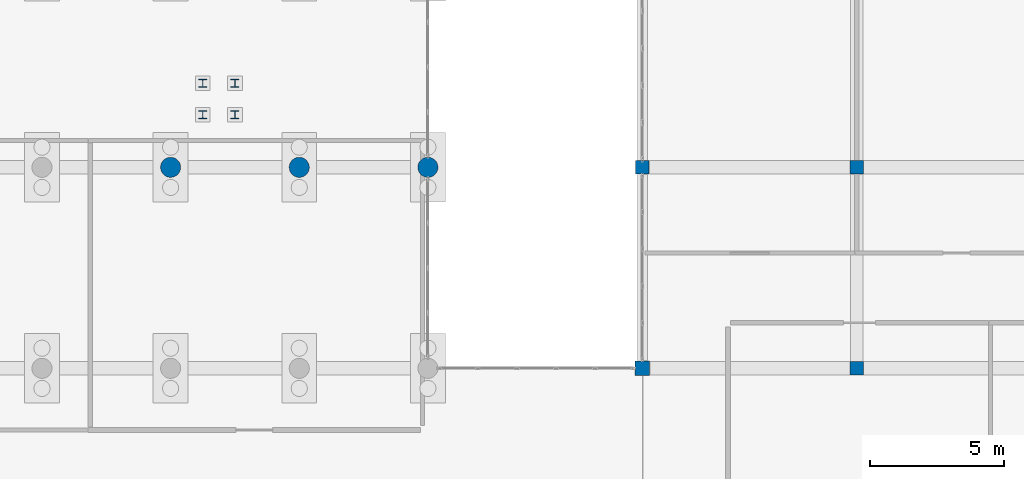
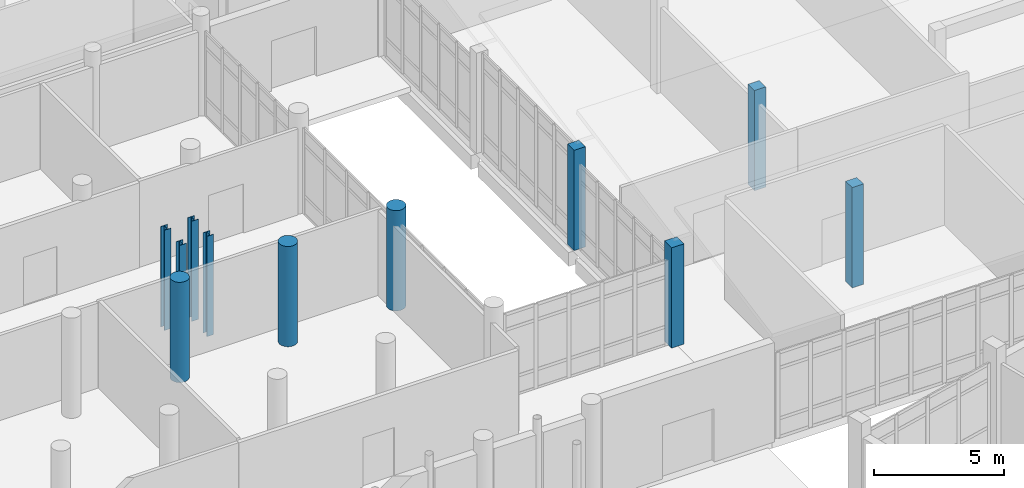
# One storey, part 17 of 173: 11 columns.
"""IFC4 building model written with IfcOpenShell, lengths in metres."""

from ifc_helpers import new_model, si_unit, direction, frame, origin, origin_2d, place, context, subcontext, project, spatial, rectangle, circle, i_section, extrude, material, material_profile, profile_set, type_object, element, save


model = new_model("IFC4")

# Units and contexts
model_context = context("Model", 3, precision=1e-05, world=origin(), true_north=direction((0.0, 1.0)))
body_context = subcontext(model_context, "Body", "Model", "MODEL_VIEW")
ifc_project = project(units=[si_unit("LENGTHUNIT", "METRE"), si_unit("AREAUNIT", "SQUARE_METRE"), si_unit("VOLUMEUNIT", "CUBIC_METRE"), si_unit("PLANEANGLEUNIT", "RADIAN"), si_unit("MASSUNIT", "GRAM", prefix="KILO")], contexts=[model_context])

# Site, building, storey
site_placement = place(None, origin())
site = spatial("IfcSite", under=ifc_project, at=site_placement, CompositionType="ELEMENT")
building_placement = place(site_placement, origin())
building = spatial("IfcBuilding", under=site, at=building_placement, Name="Mawjan Specialist Oncology Clinic", CompositionType="ELEMENT")
storey_placement = place(building_placement, origin())
storey = spatial("IfcBuildingStorey", under=building, at=storey_placement, Name="L00", CompositionType="ELEMENT", Elevation=0.0)

# Columns
ifc_material_1 = material(Name="Concrete C45/55", Category="concrete")
ifc_material_profile_1 = material_profile(ifc_material_1, rectangle(XDim=0.5, YDim=0.5, at=origin_2d()), Name="RC COL 500x500", Category="concrete")
ifc_profile_set_1 = profile_set([ifc_material_profile_1], Name="Concrete C45/55")
column_type_1 = type_object("IfcColumnType", Name="C-500", PredefinedType="COLUMN", material=ifc_profile_set_1)
for number, where, z_axis, x_axis, name in (
    (1, (116.0, 60.800048828125, 0.0), (0.0, 0.0, 1.0), (1.0, 0.0, 0.0), "L00 Column G-20-J"),
    (2, (124.0, 53.300048828125, 0.0), (0.0, 0.0, 1.0), (1.0, 0.0, 0.0), "L00 Column G-21-H"),
    (3, (124.0, 60.800048828125, 0.0), (0.0, 0.0, 1.0), (1.0, 0.0, 0.0), "L00 Column G-21-J"),
):
    element("IfcColumn", number, at=place(storey_placement, frame(where, z_axis=z_axis, x_axis=x_axis)), inside=storey, type_object=column_type_1, Name=name, PredefinedType="COLUMN", context=body_context, shape_type="SweptSolid", body=[
        extrude(rectangle(XDim=0.5, YDim=0.5, at=origin_2d()), origin(), (0.0, 0.0, 1.0), 4.7041015625),
    ])
ifc_material_2 = material(Name="Concrete C45/55", Category="concrete")
ifc_material_profile_2 = material_profile(ifc_material_2, rectangle(XDim=0.550048828125, YDim=0.550048828125, at=origin_2d()), Name="RC COL 550x550", Category="concrete")
ifc_profile_set_2 = profile_set([ifc_material_profile_2], Name="Concrete C45/55")
column_type_2 = type_object("IfcColumnType", Name="C-550", PredefinedType="COLUMN", material=ifc_profile_set_2)
column_placement = place(storey_placement, frame((116.0, 53.300048828125, 0.0), z_axis=(0.0, 0.0, 1.0), x_axis=(1.0, 0.0, 0.0)))
element("IfcColumn", 4, at=column_placement, inside=storey, type_object=column_type_2, Name="L00 Column G-20-H", PredefinedType="COLUMN", context=body_context, shape_type="SweptSolid", body=[
    extrude(rectangle(XDim=0.550048828125, YDim=0.550048828125, at=origin_2d()), origin(), (0.0, 0.0, 1.0), 4.699951171875),
])
ifc_material_3 = material(Name="Concrete C45/55", Category="concrete")
ifc_material_profile_3 = material_profile(ifc_material_3, circle(Radius=0.375, at=origin_2d()), Name="RC COL D750", Category="concrete")
ifc_profile_set_3 = profile_set([ifc_material_profile_3], Name="Concrete C45/55")
column_type_3 = type_object("IfcColumnType", Name="C-D750", PredefinedType="COLUMN", material=ifc_profile_set_3)
for number, where, z_axis, x_axis, name in (
    (5, (98.39990234375, 60.800048828125, 0.0), (0.0, 0.0, 1.0), (1.0, 0.0, 0.0), "L00 Column G-17-J"),
    (6, (103.199951171875, 60.800048828125, 0.0), (0.0, 0.0, 1.0), (1.0, 0.0, 0.0), "L00 Column G-18-J"),
    (7, (108.0, 60.800048828125, 0.0), (0.0, 0.0, 1.0), (1.0, 0.0, 0.0), "L00 Column G-19-J"),
):
    element("IfcColumn", number, at=place(storey_placement, frame(where, z_axis=z_axis, x_axis=x_axis)), inside=storey, type_object=column_type_3, Name=name, PredefinedType="COLUMN", context=body_context, shape_type="SweptSolid", body=[
        extrude(circle(Radius=0.375, at=origin_2d()), origin(), (0.0, 0.0, 1.0), 4.699951171875),
    ])
ifc_material_4 = material(Name="Structural steel S355", Category="steel")
ifc_material_profile_4 = material_profile(ifc_material_4, i_section(OverallWidth=0.300048828125, OverallDepth=0.300048828125, WebThickness=0.010986328125, FlangeThickness=0.01904296875, FilletRadius=0.027099609375, at=origin_2d()), Name="HEB 300", Category="steel")
ifc_profile_set_4 = profile_set([ifc_material_profile_4], Name="Structural steel S355")
column_type_4 = type_object("IfcColumnType", Name="SC-HEB300", PredefinedType="COLUMN", material=ifc_profile_set_4)
for number, where, z_axis, x_axis, name in (
    (8, (99.60009765625, 62.764892578125, 0.0), (0.0, 0.0, 1.0), (1.0, 0.0, 0.0), "ST-13 L00 Support Post 1"),
    (9, (100.800048828125, 62.764892578125, 0.0), (0.0, 0.0, 1.0), (1.0, 0.0, 0.0), "ST-13 L00 Support Post 2"),
    (10, (100.800048828125, 63.93505859375, 0.0), (0.0, 0.0, 1.0), (1.0, 0.0, 0.0), "ST-13 L00 Support Post 3"),
    (11, (99.60009765625, 63.93505859375, 0.0), (0.0, 0.0, 1.0), (1.0, 0.0, 0.0), "ST-13 L00 Support Post 4"),
):
    element("IfcColumn", number, at=place(storey_placement, frame(where, z_axis=z_axis, x_axis=x_axis)), inside=storey, type_object=column_type_4, Name=name, PredefinedType="COLUMN", context=body_context, shape_type="SweptSolid", body=[
        extrude(i_section(OverallWidth=0.300048828125, OverallDepth=0.300048828125, WebThickness=0.010986328125, FlangeThickness=0.01904296875, FilletRadius=0.027099609375, at=origin_2d()), origin(), (0.0, 0.0, 1.0), 4.699951171875),
    ])

save(model, "model.ifc")
